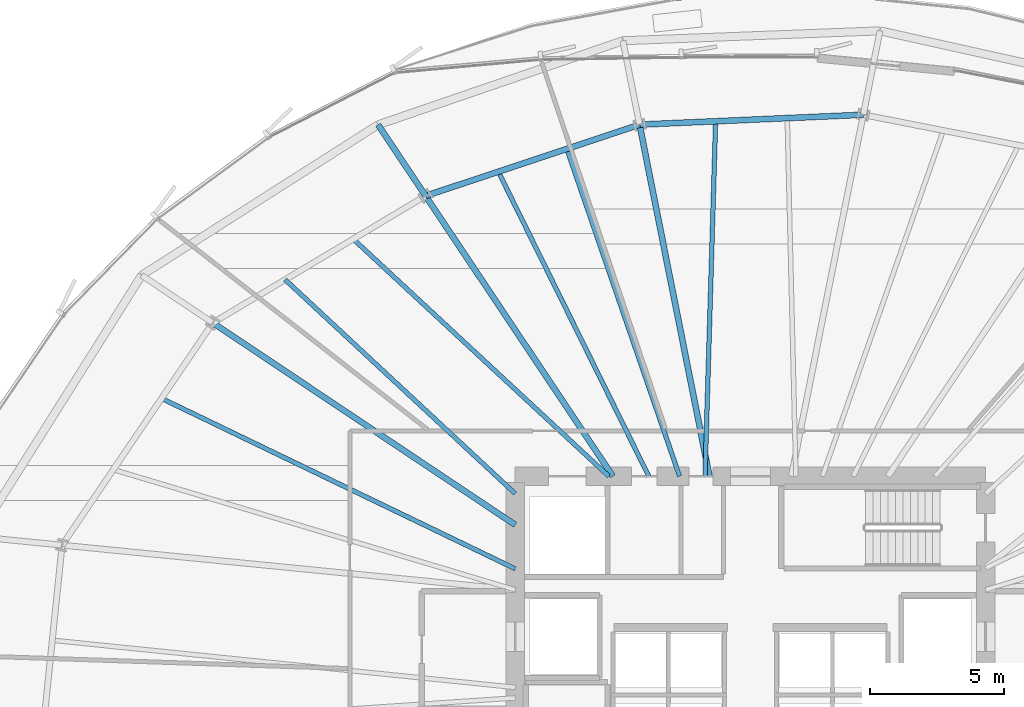
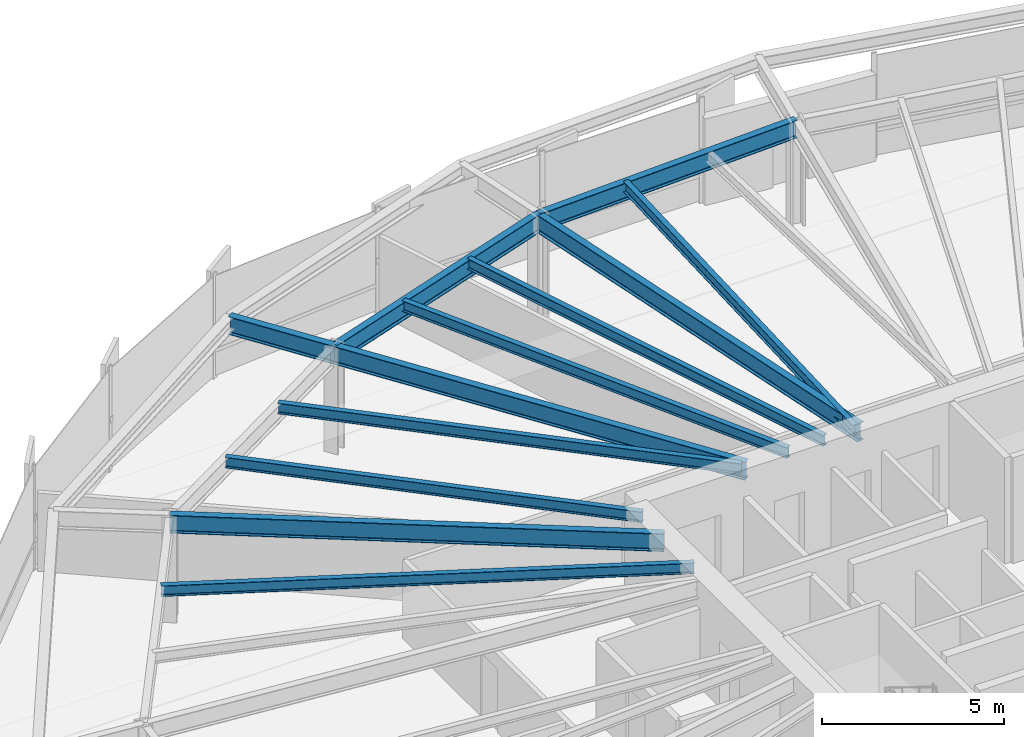
# One storey, part 20 of 37: 12 beams.
"""IFC4 building model written with IfcOpenShell, lengths in metres."""

from ifc_helpers import new_model, si_unit, direction, frame, origin, origin_2d, place, context, subcontext, project, spatial, i_section, extrude, source, transform, mapped, material, material_profile, profile_set, type_object, element, save


model = new_model("IFC4")

# Units and contexts
model_context = context("Model", 3, precision=1e-05, world=origin(), true_north=direction((0.0, 1.0)))
body_context = subcontext(model_context, "Body", "Model", "MODEL_VIEW")
ifc_project = project(units=[si_unit("LENGTHUNIT", "METRE"), si_unit("AREAUNIT", "SQUARE_METRE"), si_unit("VOLUMEUNIT", "CUBIC_METRE"), si_unit("PLANEANGLEUNIT", "RADIAN"), si_unit("MASSUNIT", "GRAM", prefix="KILO"), si_unit("THERMODYNAMICTEMPERATUREUNIT", "KELVIN")], contexts=[model_context])

# Site, building, storey
site_placement = place(None, origin())
site = spatial("IfcSite", under=ifc_project, at=site_placement, CompositionType="ELEMENT")
building_placement = place(site_placement, origin())
building = spatial("IfcBuilding", under=site, at=building_placement, Name="Kethvar Cultural Tower", CompositionType="ELEMENT")
storey_placement = place(building_placement, frame((0.0, 0.0, 56.199951171875)))
storey = spatial("IfcBuildingStorey", under=building, at=storey_placement, Name="L13", CompositionType="ELEMENT", Elevation=56.199951171875)

# Beams
ifc_material = material(Name="Steel S355J2", Category="steel")
ifc_material_profile_1 = material_profile(ifc_material, i_section(OverallWidth=0.219970703125, OverallDepth=0.60009765625, WebThickness=0.011962890625, FlangeThickness=0.01904296875, FilletRadius=0.02392578125, at=origin_2d()), Name="Steel S355J2 — IPE600")
ifc_profile_set_1 = profile_set([ifc_material_profile_1], Name="Steel S355J2 — IPE600")
beam_type_1 = type_object("IfcBeamType", Name="BM-IPE600", PredefinedType="BEAM", material=ifc_profile_set_1)
shared_shape_1 = source(origin(), body_context, "Body", "SweptSolid", [
    extrude(i_section(OverallWidth=0.219970703125, OverallDepth=0.60009765625, WebThickness=0.011962890625, FlangeThickness=0.01904296875, FilletRadius=0.02392578125, at=origin_2d()), origin(), (0.0, 0.0, 1.0), 3.199951171875),
])
beam_1_placement = place(storey_placement, frame((34.64599609375, 45.98974609375, 3.248046875), z_axis=(-0.555580212716, 0.831462943996, 0.0), x_axis=(-0.831462943996, -0.555580212716, 0.0)))
element("IfcBeam", 1, at=beam_1_placement, inside=storey, type_object=beam_type_1, Name="L13 Perimeter Cantilever Beam RC-06", PredefinedType="BEAM", context=body_context, shape_type="MappedRepresentation", body=[
    mapped(shared_shape_1, transform((0.0, 0.0, 0.0), scale=1.0)),
])
shared_shape_2 = source(origin(), body_context, "Body", "SweptSolid", [
    extrude(i_section(OverallWidth=0.219970703125, OverallDepth=0.60009765625, WebThickness=0.011962890625, FlangeThickness=0.01904296875, FilletRadius=0.02392578125, at=origin_2d()), origin(), (0.0, 0.0, 1.0), 13.41357421875),
])
beam_2_placement = place(storey_placement, frame((45.268310546875, 35.5, 3.248046875), z_axis=(-0.195079960025, 0.980787341474, 0.0), x_axis=(-0.980787341474, -0.195079960025, 0.0)))
element("IfcBeam", 2, at=beam_2_placement, inside=storey, type_object=beam_type_1, Name="L13 Primary Radial Beam RB-05", PredefinedType="BEAM", context=body_context, shape_type="MappedRepresentation", body=[
    mapped(shared_shape_2, transform((0.0, 0.0, 0.0), scale=1.0)),
])
shared_shape_3 = source(origin(), body_context, "Body", "SweptSolid", [
    extrude(i_section(OverallWidth=0.219970703125, OverallDepth=0.60009765625, WebThickness=0.011962890625, FlangeThickness=0.01904296875, FilletRadius=0.02392578125, at=origin_2d()), origin(), (0.0, 0.0, 1.0), 12.615966796875),
])
beam_3_placement = place(storey_placement, frame((41.655029296875, 35.5, 3.248046875), z_axis=(-0.555570723257, 0.831469284736, 0.0), x_axis=(-0.831469284736, -0.555570723257, 0.0)))
element("IfcBeam", 3, at=beam_3_placement, inside=storey, type_object=beam_type_1, Name="L13 Primary Radial Beam RB-06", PredefinedType="BEAM", context=body_context, shape_type="MappedRepresentation", body=[
    mapped(shared_shape_3, transform((0.0, 0.0, 0.0), scale=1.0)),
])
shared_shape_4 = source(origin(), body_context, "Body", "SweptSolid", [
    extrude(i_section(OverallWidth=0.219970703125, OverallDepth=0.60009765625, WebThickness=0.011962890625, FlangeThickness=0.01904296875, FilletRadius=0.02392578125, at=origin_2d()), origin(), (0.0, 0.0, 1.0), 13.60888671875),
])
beam_4_placement = place(storey_placement, frame((38.0, 33.679931640625, 3.248046875), z_axis=(-0.831467486755, 0.555573414113, 0.0), x_axis=(-0.555573414113, -0.831467486755, 0.0)))
element("IfcBeam", 4, at=beam_4_placement, inside=storey, type_object=beam_type_1, Name="L13 Primary Radial Beam RB-07", PredefinedType="BEAM", context=body_context, shape_type="MappedRepresentation", body=[
    mapped(shared_shape_4, transform((0.0, 0.0, 0.0), scale=1.0)),
])
shared_shape_5 = source(origin(), body_context, "Body", "SweptSolid", [
    extrude(i_section(OverallWidth=0.219970703125, OverallDepth=0.60009765625, WebThickness=0.011962890625, FlangeThickness=0.01904296875, FilletRadius=0.02392578125, at=origin_2d()), origin(), (0.0, 0.0, 1.0), 8.378662109375),
])
beam_5_placement = place(storey_placement, frame((51.022216796875, 49.02587890625, 3.248046875), z_axis=(-0.999023890534, -0.04417313825, 0.0), x_axis=(0.04417313825, -0.999023890534, 0.0)))
element("IfcBeam", 5, at=beam_5_placement, inside=storey, type_object=beam_type_1, Name="L13 Column Ring Tie Beam CR-04", PredefinedType="BEAM", context=body_context, shape_type="MappedRepresentation", body=[
    mapped(shared_shape_5, transform((0.0, 0.0, 0.0), scale=1.0)),
])
ifc_material_profile_2 = material_profile(ifc_material, i_section(OverallWidth=0.169921875, OverallDepth=0.360107421875, WebThickness=0.008056640625, FlangeThickness=0.0126953125, FilletRadius=0.01806640625, at=origin_2d()), Name="Steel S355J2 — IPE360")
ifc_profile_set_2 = profile_set([ifc_material_profile_2], Name="Steel S355J2 — IPE360")
beam_type_2 = type_object("IfcBeamType", Name="BM-J360", PredefinedType="JOIST", material=ifc_profile_set_2)
shared_shape_6 = source(origin(), body_context, "Body", "SweptSolid", [
    extrude(i_section(OverallWidth=0.169921875, OverallDepth=0.360107421875, WebThickness=0.008056640625, FlangeThickness=0.0126953125, FilletRadius=0.01806640625, at=origin_2d()), origin(), (0.0, 0.0, 1.0), 13.287353515625),
])
beam_6_placement = place(storey_placement, frame((45.10009765625, 35.5, 3.3681640625), z_axis=(0.029912529234, 0.999552520178, 0.0), x_axis=(-0.999552520178, 0.029912529234, 0.0)))
element("IfcBeam", 6, at=beam_6_placement, inside=storey, type_object=beam_type_2, Name="L13 Composite Floor Joist J-04B", PredefinedType="JOIST", context=body_context, shape_type="MappedRepresentation", body=[
    mapped(shared_shape_6, transform((0.0, 0.0, 0.0), scale=1.0)),
])
shared_shape_7 = source(origin(), body_context, "Body", "SweptSolid", [
    extrude(i_section(OverallWidth=0.219970703125, OverallDepth=0.60009765625, WebThickness=0.011962890625, FlangeThickness=0.01904296875, FilletRadius=0.02392578125, at=origin_2d()), origin(), (0.0, 0.0, 1.0), 8.437744140625),
])
beam_7_placement = place(storey_placement, frame((42.651611328125, 48.65576171875, 3.248046875), z_axis=(-0.948772955115, -0.315958667618, 0.0), x_axis=(0.315958667618, -0.948772955115, 0.0)))
element("IfcBeam", 7, at=beam_7_placement, inside=storey, type_object=beam_type_1, Name="L13 Column Ring Tie Beam CR-05", PredefinedType="BEAM", context=body_context, shape_type="MappedRepresentation", body=[
    mapped(shared_shape_7, transform((0.0, 0.0, 0.0), scale=1.0)),
])
shared_shape_8 = source(origin(), body_context, "Body", "SweptSolid", [
    extrude(i_section(OverallWidth=0.169921875, OverallDepth=0.360107421875, WebThickness=0.008056640625, FlangeThickness=0.0126953125, FilletRadius=0.01806640625, at=origin_2d()), origin(), (0.0, 0.0, 1.0), 12.955322265625),
])
beam_8_placement = place(storey_placement, frame((44.148193359375, 35.5, 3.3681640625), z_axis=(-0.325619549533, 0.945500877293, 0.0), x_axis=(-0.945500877293, -0.325619549533, 0.0)))
element("IfcBeam", 8, at=beam_8_placement, inside=storey, type_object=beam_type_2, Name="L13 Composite Floor Joist J-05A", PredefinedType="JOIST", context=body_context, shape_type="MappedRepresentation", body=[
    mapped(shared_shape_8, transform((0.0, 0.0, 0.0), scale=1.0)),
])
shared_shape_9 = source(origin(), body_context, "Body", "SweptSolid", [
    extrude(i_section(OverallWidth=0.169921875, OverallDepth=0.360107421875, WebThickness=0.008056640625, FlangeThickness=0.0126953125, FilletRadius=0.01806640625, at=origin_2d()), origin(), (0.0, 0.0, 1.0), 12.710693359375),
])
beam_9_placement = place(storey_placement, frame((42.996826171875, 35.5, 3.3681640625), z_axis=(-0.442851992051, 0.896594731825, 0.0), x_axis=(-0.896594731825, -0.442851992051, 0.0)))
element("IfcBeam", 9, at=beam_9_placement, inside=storey, type_object=beam_type_2, Name="L13 Composite Floor Joist J-05B", PredefinedType="JOIST", context=body_context, shape_type="MappedRepresentation", body=[
    mapped(shared_shape_9, transform((0.0, 0.0, 0.0), scale=1.0)),
])
shared_shape_10 = source(origin(), body_context, "Body", "SweptSolid", [
    extrude(i_section(OverallWidth=0.169921875, OverallDepth=0.360107421875, WebThickness=0.008056640625, FlangeThickness=0.0126953125, FilletRadius=0.01806640625, at=origin_2d()), origin(), (0.0, 0.0, 1.0), 13.045166015625),
])
beam_10_placement = place(storey_placement, frame((41.5, 35.5, 3.3681640625), z_axis=(-0.732903465528, 0.680332646737, 0.0), x_axis=(-0.680332646737, -0.732903465528, 0.0)))
element("IfcBeam", 10, at=beam_10_placement, inside=storey, type_object=beam_type_2, Name="L13 Composite Floor Joist J-06A", PredefinedType="JOIST", context=body_context, shape_type="MappedRepresentation", body=[
    mapped(shared_shape_10, transform((0.0, 0.0, 0.0), scale=1.0)),
])
shared_shape_11 = source(origin(), body_context, "Body", "SweptSolid", [
    extrude(i_section(OverallWidth=0.169921875, OverallDepth=0.360107421875, WebThickness=0.008056640625, FlangeThickness=0.0126953125, FilletRadius=0.01806640625, at=origin_2d()), origin(), (0.0, 0.0, 1.0), 11.75537109375),
])
beam_11_placement = place(storey_placement, frame((38.0, 34.85009765625, 3.3681640625), z_axis=(-0.732290300234, 0.680992596276, 0.0), x_axis=(-0.680992596276, -0.732290300234, 0.0)))
element("IfcBeam", 11, at=beam_11_placement, inside=storey, type_object=beam_type_2, Name="L13 Composite Floor Joist J-06B", PredefinedType="JOIST", context=body_context, shape_type="MappedRepresentation", body=[
    mapped(shared_shape_11, transform((0.0, 0.0, 0.0), scale=1.0)),
])
shared_shape_12 = source(origin(), body_context, "Body", "SweptSolid", [
    extrude(i_section(OverallWidth=0.169921875, OverallDepth=0.360107421875, WebThickness=0.008056640625, FlangeThickness=0.0126953125, FilletRadius=0.01806640625, at=origin_2d()), origin(), (0.0, 0.0, 1.0), 14.687255859375),
])
beam_12_placement = place(storey_placement, frame((38.0, 32.038818359375, 3.3681640625), z_axis=(-0.900928984091, 0.433966548971, 0.0), x_axis=(-0.433966548971, -0.900928984091, 0.0)))
element("IfcBeam", 12, at=beam_12_placement, inside=storey, type_object=beam_type_2, Name="L13 Composite Floor Joist J-07A", PredefinedType="JOIST", context=body_context, shape_type="MappedRepresentation", body=[
    mapped(shared_shape_12, transform((0.0, 0.0, 0.0), scale=1.0)),
])

save(model, "model.ifc")
